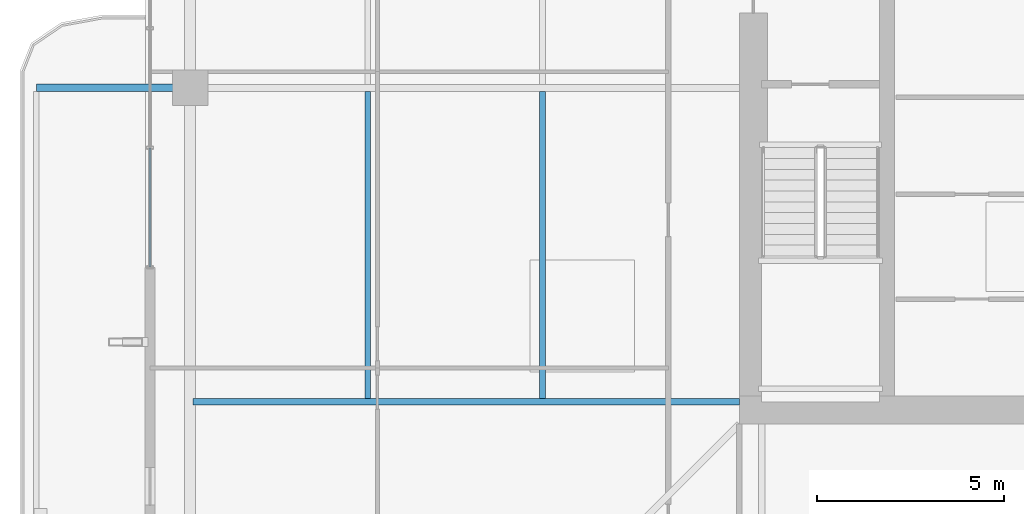
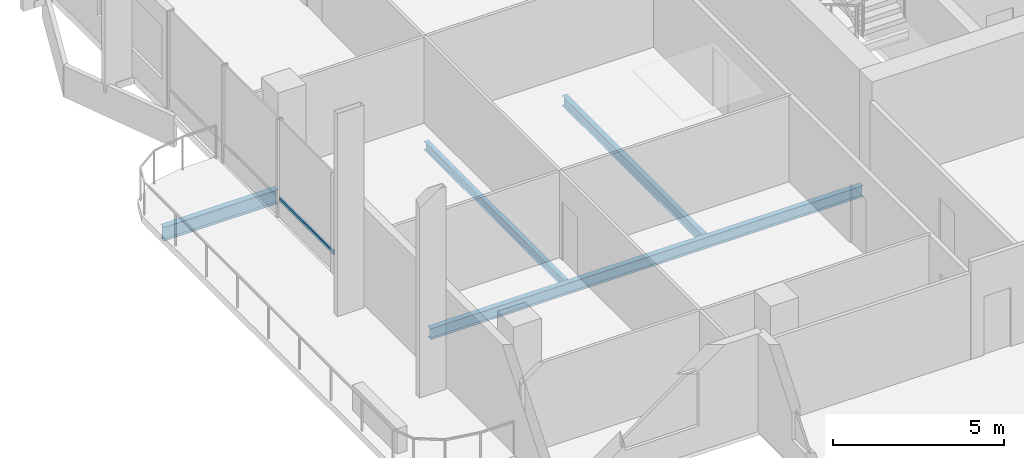
# One storey, part 5 of 25: 4 beams, 1 member, 1 element without a shape of its own.
"""IFC4 building model written with IfcOpenShell, lengths in metres."""

from ifc_helpers import new_model, si_unit, direction, frame, origin, origin_2d, place, context, subcontext, project, spatial, hollow_rectangle, i_section, extrude, material, layer, layer_set, material_profile, profile_set, type_object, element, aggregate, save


model = new_model("IFC4")

# Units and contexts
model_context = context("Model", 3, precision=1e-05, world=origin(), true_north=direction((0.0, 1.0)))
body_context = subcontext(model_context, "Body", "Model", "MODEL_VIEW")
ifc_project = project(units=[si_unit("LENGTHUNIT", "METRE"), si_unit("AREAUNIT", "SQUARE_METRE"), si_unit("VOLUMEUNIT", "CUBIC_METRE"), si_unit("PLANEANGLEUNIT", "RADIAN"), si_unit("MASSUNIT", "GRAM", prefix="KILO")], contexts=[model_context])

# Site, building, storey
site_placement = place(None, origin())
site = spatial("IfcSite", under=ifc_project, at=site_placement, CompositionType="ELEMENT")
building_placement = place(site_placement, origin())
building = spatial("IfcBuilding", under=site, at=building_placement, Name="Belovzor Exchange Tower", CompositionType="ELEMENT")
storey_placement = place(building_placement, frame((0.0, 0.0, 272.85009765625)))
storey = spatial("IfcBuildingStorey", under=building, at=storey_placement, Name="L68", CompositionType="ELEMENT", Elevation=272.85009765625)

# Beams
ifc_material_1 = material(Name="Steel S355", Category="steel")
ifc_material_profile_1 = material_profile(ifc_material_1, i_section(OverallWidth=0.199951171875, OverallDepth=0.5, WebThickness=0.01025390625, FlangeThickness=0.01611328125, at=origin_2d()))
ifc_profile_set_1 = profile_set([ifc_material_profile_1], Name="Steel S355")
beam_type_1 = type_object("IfcBeamType", Name="Planted Balcony Cantilever Beam IPE 500", PredefinedType="BEAM", material=ifc_profile_set_1)
beam_1_placement = place(storey_placement, frame((4.839111328125, 28.800048828125, -0.5), z_axis=(-1.0, 0.0, 0.0), x_axis=(0.0, -1.0, 0.0)))
element("IfcBeam", 1, at=beam_1_placement, inside=storey, type_object=beam_type_1, Name="BC-500 Planted Balcony Cantilever Beam IPE 500", PredefinedType="BEAM", context=body_context, shape_type="SweptSolid", body=[
    extrude(i_section(OverallWidth=0.199951171875, OverallDepth=0.5, WebThickness=0.01025390625, FlangeThickness=0.01611328125, at=origin_2d()), origin(), (0.0, 0.0, 1.0), 3.85009765625),
])
ifc_material_2 = material(Name="Steel S355", Category="steel")
ifc_material_profile_2 = material_profile(ifc_material_2, i_section(OverallWidth=0.169921875, OverallDepth=0.360107421875, WebThickness=0.008056640625, FlangeThickness=0.0126953125, at=origin_2d()))
ifc_profile_set_2 = profile_set([ifc_material_profile_2], Name="Steel S355")
beam_type_2 = type_object("IfcBeamType", Name="Secondary Infill Floor Joist IPE 360", PredefinedType="BEAM", material=ifc_profile_set_2)
beam_2_placement = place(storey_placement, frame((14.534912109375, 20.489990234375, -0.43017578125), z_axis=(0.0, 1.0, 0.0), x_axis=(-1.0, 0.0, 0.0)))
element("IfcBeam", 2, at=beam_2_placement, inside=storey, type_object=beam_type_2, Name="FJ-360 Secondary Infill Floor Joist IPE 360", PredefinedType="BEAM", context=body_context, shape_type="SweptSolid", body=[
    extrude(i_section(OverallWidth=0.169921875, OverallDepth=0.360107421875, WebThickness=0.008056640625, FlangeThickness=0.0126953125, at=origin_2d()), origin(), (0.0, 0.0, 1.0), 8.219970703125),
])
ifc_material_3 = material(Name="Steel S355", Category="steel")
ifc_material_profile_3 = material_profile(ifc_material_3, i_section(OverallWidth=0.14990234375, OverallDepth=0.300048828125, WebThickness=0.007080078125, FlangeThickness=0.0107421875, at=origin_2d()))
ifc_profile_set_3 = profile_set([ifc_material_profile_3], Name="Steel S355")
beam_type_3 = type_object("IfcBeamType", Name="Secondary Trim Floor Joist IPE 300", PredefinedType="BEAM", material=ifc_profile_set_3)
beam_3_placement = place(storey_placement, frame((9.85498046875, 20.489990234375, -0.400146484375), z_axis=(0.0, 1.0, 0.0), x_axis=(-1.0, 0.0, 0.0)))
element("IfcBeam", 3, at=beam_3_placement, inside=storey, type_object=beam_type_3, Name="FJ-300 Secondary Trim Floor Joist IPE 300", PredefinedType="BEAM", context=body_context, shape_type="SweptSolid", body=[
    extrude(i_section(OverallWidth=0.14990234375, OverallDepth=0.300048828125, WebThickness=0.007080078125, FlangeThickness=0.0107421875, at=origin_2d()), origin(), (0.0, 0.0, 1.0), 8.219970703125),
])

# Curtain wall, member
ifc_material_4 = material(Name="Anodised Aluminium Framing", Category="aluminium")
ifc_layer = layer(ifc_material_4, 0.179931640625)
ifc_layer_set = layer_set([ifc_layer], Name="Anodised Aluminium Framing")
curtain_wall_type = type_object("IfcCurtainWallType", Name="Recessed Loggia Low-Iron Triple-Glazed Curtain Wall", PredefinedType="NOTDEFINED", material=ifc_layer_set)
curtain_wall_placement = place(storey_placement, origin())
curtain_wall = element("IfcCurtainWall", 4, at=curtain_wall_placement, inside=storey, type_object=curtain_wall_type, Name="CW3 Recessed Loggia Low-Iron Triple-Glazed Curtain Wall L68", PredefinedType="NOTDEFINED")
ifc_material_5 = material(Name="Steel S355", Category="steel")
ifc_material_profile_4 = material_profile(ifc_material_5, hollow_rectangle(XDim=0.06005859375, YDim=0.14990234375, WallThickness=0.00390625, at=origin_2d()))
ifc_profile_set_4 = profile_set([ifc_material_profile_4], Name="Steel S355")
member_type = type_object("IfcMemberType", Name="Thermally Broken Curtain Wall Transom 150x60", PredefinedType="USERDEFINED", material=ifc_profile_set_4)
member_placement = place(storey_placement, frame((4.030029296875, 24.008056640625, 0.6298828125), z_axis=(0.0, 1.0, 0.0), x_axis=(-1.0, 0.0, 0.0)))
member = element("IfcMember", 5, at=member_placement, type_object=member_type, Name="CW-T150 Curtain Wall Transom 1", ObjectType="TRANSOM", PredefinedType="USERDEFINED", context=body_context, shape_type="SweptSolid", body=[
    extrude(hollow_rectangle(XDim=0.06005859375, YDim=0.14990234375, WallThickness=0.00390625, at=origin_2d()), origin(), (0.0, 0.0, 1.0), 3.183837890625),
])
aggregate(curtain_wall, [member])

# Beam
ifc_material_6 = material(Name="Steel S355", Category="steel")
ifc_material_profile_5 = material_profile(ifc_material_6, i_section(OverallWidth=0.179931640625, OverallDepth=0.39990234375, WebThickness=0.008544921875, FlangeThickness=0.013427734375, at=origin_2d()))
ifc_profile_set_5 = profile_set([ifc_material_profile_5], Name="Steel S355")
beam_type_4 = type_object("IfcBeamType", Name="Zone 5-6 Radial Composite Floor Beam IPE 400", PredefinedType="BEAM", material=ifc_profile_set_5)
beam_4_placement = place(storey_placement, frame((19.800048828125, 20.39990234375, -0.4501953125), z_axis=(-1.0, 0.0, 0.0), x_axis=(0.0, -1.0, 0.0)))
element("IfcBeam", 6, at=beam_4_placement, inside=storey, type_object=beam_type_4, Name="FB-400 Zone 5-6 Radial Composite Floor Beam IPE 400", PredefinedType="BEAM", context=body_context, shape_type="SweptSolid", body=[
    extrude(i_section(OverallWidth=0.179931640625, OverallDepth=0.39990234375, WebThickness=0.008544921875, FlangeThickness=0.013427734375, at=origin_2d()), origin(), (0.0, 0.0, 1.0), 14.625),
])

save(model, "model.ifc")
